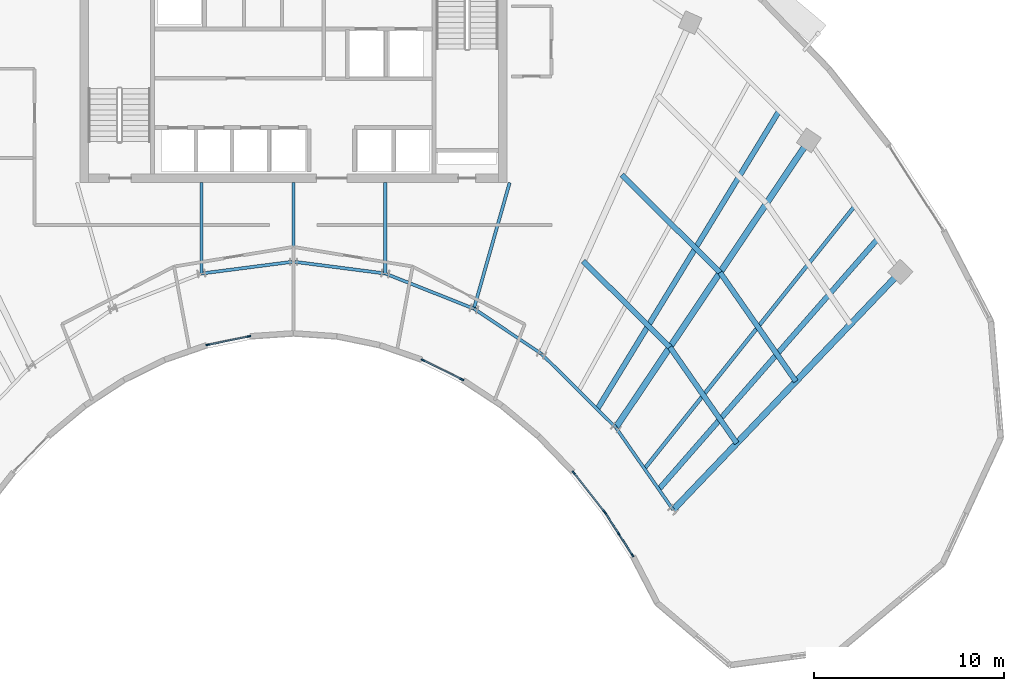
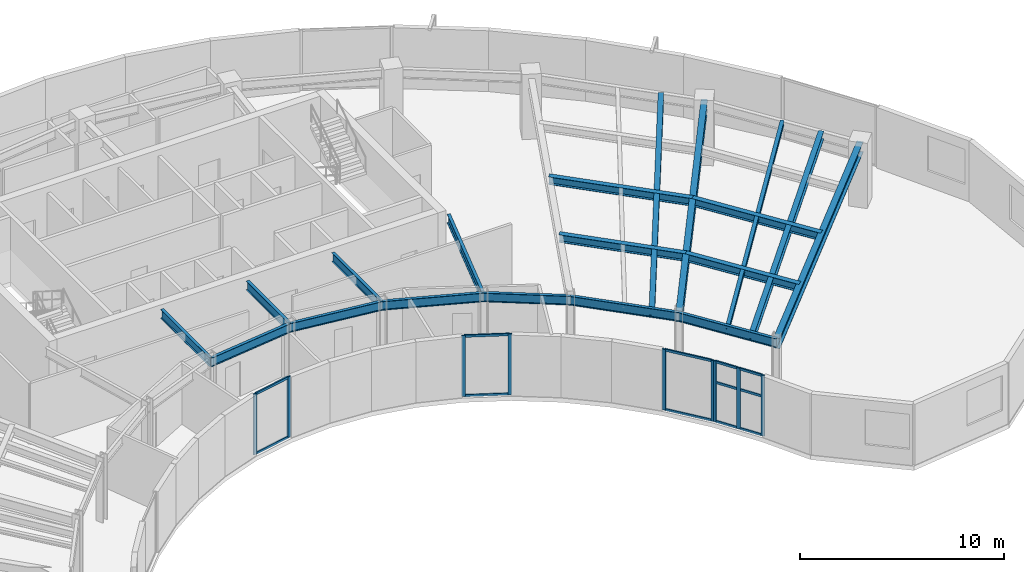
# One storey, part 3 of 14: 21 members, 19 beams, 4 elements without a shape of their own.
"""IFC4 building model written with IfcOpenShell, lengths in metres."""

from ifc_helpers import new_model, si_unit, direction, frame, origin, origin_2d, place, context, subcontext, project, spatial, rectangle, i_section, extrude, source, transform, mapped, material, layer, layer_set, material_profile, profile_set, type_object, type_shapes, element, aggregate, save


model = new_model("IFC4")

# Units and contexts
model_context = context("Model", 3, precision=1e-05, world=origin(), true_north=direction((0.0, 1.0)))
body_context = subcontext(model_context, "Body", "Model", "MODEL_VIEW")
ifc_project = project(units=[si_unit("LENGTHUNIT", "METRE"), si_unit("AREAUNIT", "SQUARE_METRE"), si_unit("VOLUMEUNIT", "CUBIC_METRE"), si_unit("PLANEANGLEUNIT", "RADIAN"), si_unit("MASSUNIT", "GRAM", prefix="KILO")], contexts=[model_context])

# Site, building, storey
site_placement = place(None, origin())
site = spatial("IfcSite", under=ifc_project, at=site_placement, CompositionType="ELEMENT")
building_placement = place(site_placement, origin())
building = spatial("IfcBuilding", under=site, at=building_placement, Name="Breltana Convention Tower", CompositionType="ELEMENT")
storey_placement = place(building_placement, frame((0.0, 0.0, 211.800048828125)))
storey = spatial("IfcBuildingStorey", under=building, at=storey_placement, Name="L51", CompositionType="ELEMENT", Elevation=211.800048828125)

# Beams
ifc_material_1 = material(Name="Steel ASTM A992 Grade 50", Category="steel")
ifc_material_profile_1 = material_profile(ifc_material_1, i_section(OverallWidth=0.280029296875, OverallDepth=0.462890625, WebThickness=0.0107421875, FlangeThickness=0.017333984375, at=origin_2d()), Name="W18X76")
ifc_profile_set_1 = profile_set([ifc_material_profile_1], Name="Steel ASTM A992 Grade 50")
beam_type_1 = type_object("IfcBeamType", Name="BM-JSG-06", PredefinedType="JOIST", material=ifc_profile_set_1)
shared_shape_1 = source(origin(), body_context, "Body", "SweptSolid", [
    extrude(i_section(OverallWidth=0.280029296875, OverallDepth=0.462890625, WebThickness=0.0107421875, FlangeThickness=0.017333984375, at=origin_2d()), origin(), (0.0, 0.0, 1.0), 6.435302734375),
])
beam_1_placement = place(storey_placement, frame((63.27392578125, 56.06298828125, 3.408447265625), z_axis=(0.710116389828, -0.704084308089, 0.0), x_axis=(0.704084308089, 0.710116389828, 0.0)))
element("IfcBeam", 1, at=beam_1_placement, inside=storey, type_object=beam_type_1, Name="L51 Composite Floor Joist 09.1", PredefinedType="JOIST", context=body_context, shape_type="MappedRepresentation", body=[
    mapped(shared_shape_1, transform((0.0, 0.0, 0.0), scale=1.0)),
])
shared_shape_2 = source(origin(), body_context, "Body", "SweptSolid", [
    extrude(i_section(OverallWidth=0.280029296875, OverallDepth=0.462890625, WebThickness=0.0107421875, FlangeThickness=0.017333984375, at=origin_2d()), origin(), (0.0, 0.0, 1.0), 7.29296875),
])
beam_2_placement = place(storey_placement, frame((65.309326171875, 60.602294921875, 3.408447265625), z_axis=(0.710096551013, -0.704104316305, 0.0), x_axis=(0.704104316305, 0.710096551013, 0.0)))
element("IfcBeam", 2, at=beam_2_placement, inside=storey, type_object=beam_type_1, Name="L51 Composite Floor Joist 09.2", PredefinedType="JOIST", context=body_context, shape_type="MappedRepresentation", body=[
    mapped(shared_shape_2, transform((0.0, 0.0, 0.0), scale=1.0)),
])
shared_shape_3 = source(origin(), body_context, "Body", "SweptSolid", [
    extrude(i_section(OverallWidth=0.280029296875, OverallDepth=0.462890625, WebThickness=0.0107421875, FlangeThickness=0.017333984375, at=origin_2d()), origin(), (0.0, 0.0, 1.0), 18.409423828125),
])
beam_3_placement = place(storey_placement, frame((64.017333984375, 48.263916015625, 3.408447265625), z_axis=(0.520682167606, 0.853750596098, 0.0), x_axis=(-0.853750596098, 0.520682167606, 0.0)))
element("IfcBeam", 3, at=beam_3_placement, inside=storey, type_object=beam_type_1, Name="L51 Quarter-Bay Radial Trimmer 09", PredefinedType="JOIST", context=body_context, shape_type="MappedRepresentation", body=[
    mapped(shared_shape_3, transform((0.0, 0.0, 0.0), scale=1.0)),
])
shared_shape_4 = source(origin(), body_context, "Body", "SweptSolid", [
    extrude(i_section(OverallWidth=0.280029296875, OverallDepth=0.462890625, WebThickness=0.0107421875, FlangeThickness=0.017333984375, at=origin_2d()), origin(), (0.0, 0.0, 1.0), 6.172119140625),
])
beam_4_placement = place(storey_placement, frame((67.84375, 51.531982421875, 3.408447265625), z_axis=(0.571211663392, -0.820802799462, 0.0), x_axis=(0.820802799462, 0.571211663392, 0.0)))
element("IfcBeam", 4, at=beam_4_placement, inside=storey, type_object=beam_type_1, Name="L51 Composite Floor Joist 10.1", PredefinedType="JOIST", context=body_context, shape_type="MappedRepresentation", body=[
    mapped(shared_shape_4, transform((0.0, 0.0, 0.0), scale=1.0)),
])
shared_shape_5 = source(origin(), body_context, "Body", "SweptSolid", [
    extrude(i_section(OverallWidth=0.280029296875, OverallDepth=0.462890625, WebThickness=0.0107421875, FlangeThickness=0.017333984375, at=origin_2d()), origin(), (0.0, 0.0, 1.0), 6.99462890625),
])
beam_5_placement = place(storey_placement, frame((70.488037109375, 55.46728515625, 3.408447265625), z_axis=(0.571206630732, -0.820806301759, 0.0), x_axis=(0.820806301759, 0.571206630732, 0.0)))
element("IfcBeam", 5, at=beam_5_placement, inside=storey, type_object=beam_type_1, Name="L51 Composite Floor Joist 10.2", PredefinedType="JOIST", context=body_context, shape_type="MappedRepresentation", body=[
    mapped(shared_shape_5, transform((0.0, 0.0, 0.0), scale=1.0)),
])
ifc_material_profile_2 = material_profile(ifc_material_1, i_section(OverallWidth=0.201904296875, OverallDepth=0.2470703125, WebThickness=0.00732421875, FlangeThickness=0.010986328125, at=origin_2d()), Name="W10X33")
ifc_profile_set_2 = profile_set([ifc_material_profile_2], Name="Steel ASTM A992 Grade 50")
beam_type_2 = type_object("IfcBeamType", Name="BM-JSG-11", PredefinedType="JOIST", material=ifc_profile_set_2)
shared_shape_6 = source(origin(), body_context, "Body", "SweptSolid", [
    extrude(i_section(OverallWidth=0.201904296875, OverallDepth=0.2470703125, WebThickness=0.00732421875, FlangeThickness=0.010986328125, at=origin_2d()), origin(), (0.0, 0.0, 1.0), 17.7236328125),
])
beam_6_placement = place(storey_placement, frame((66.505615234375, 45.124267578125, 3.516357421875), z_axis=(0.624829427563, 0.78076128647, 0.0), x_axis=(-0.78076128647, 0.624829427563, 0.0)))
element("IfcBeam", 6, at=beam_6_placement, inside=storey, type_object=beam_type_2, Name="L51 Mid-Bay Radial Trimmer 10", PredefinedType="JOIST", context=body_context, shape_type="MappedRepresentation", body=[
    mapped(shared_shape_6, transform((0.0, 0.0, 0.0), scale=1.0)),
])
shared_shape_7 = source(origin(), body_context, "Body", "SweptSolid", [
    extrude(i_section(OverallWidth=0.280029296875, OverallDepth=0.462890625, WebThickness=0.0107421875, FlangeThickness=0.017333984375, at=origin_2d()), origin(), (0.0, 0.0, 1.0), 17.515625),
])
beam_7_placement = place(storey_placement, frame((67.260498046875, 44.03955078125, 3.408447265625), z_axis=(0.658051548324, 0.752972881151, 0.0), x_axis=(-0.752972881151, 0.658051548324, 0.0)))
element("IfcBeam", 7, at=beam_7_placement, inside=storey, type_object=beam_type_1, Name="L51 Quarter-Bay Radial Trimmer 10", PredefinedType="JOIST", context=body_context, shape_type="MappedRepresentation", body=[
    mapped(shared_shape_7, transform((0.0, 0.0, 0.0), scale=1.0)),
])
ifc_material_profile_3 = material_profile(ifc_material_1, i_section(OverallWidth=0.166015625, OverallDepth=0.534912109375, WebThickness=0.01025390625, FlangeThickness=0.0166015625, at=origin_2d()), Name="W21X57")
ifc_profile_set_3 = profile_set([ifc_material_profile_3], Name="Steel ASTM A992 Grade 50")
beam_type_3 = type_object("IfcBeamType", Name="BM-BM-W21X57", PredefinedType="BEAM", material=ifc_profile_set_3)
shared_shape_8 = source(origin(), body_context, "Body", "SweptSolid", [
    extrude(i_section(OverallWidth=0.166015625, OverallDepth=0.534912109375, WebThickness=0.01025390625, FlangeThickness=0.0166015625, at=origin_2d()), origin(), (0.0, 0.0, 1.0), 6.904541015625),
])
type_shapes(beam_type_3, [shared_shape_8])
beam_8_placement = place(storey_placement, frame((59.39990234375, 60.199951171875, 3.37255859375), z_axis=(-0.273006781054, -0.962012108811, 0.0), x_axis=(0.962012108811, -0.273006781054, 0.0)))
element("IfcBeam", 8, at=beam_8_placement, inside=storey, type_object=beam_type_3, Name="L51 South Core Tie Girder R08", PredefinedType="BEAM", context=body_context, shape_type="MappedRepresentation", body=[
    mapped(shared_shape_8, transform((0.0, 0.0, 0.0), scale=1.0)),
])
shared_shape_9 = source(origin(), body_context, "Body", "SweptSolid", [
    extrude(i_section(OverallWidth=0.166015625, OverallDepth=0.534912109375, WebThickness=0.01025390625, FlangeThickness=0.0166015625, at=origin_2d()), origin(), (0.0, 0.0, 1.0), 4.789306640625),
])
for number, where, z_axis, x_axis, name in (
    (9, (43.153564453125, 60.199951171875, 3.37255859375), (0.0, -1.0, 0.0), (1.0, 0.0, 0.0), "L51 South Core Tie Girder R05"),
    (10, (52.846435546875, 60.199951171875, 3.37255859375), (0.0, -1.0, 0.0), (1.0, 0.0, 0.0), "L51 South Core Tie Girder R07"),
):
    element("IfcBeam", number, at=place(storey_placement, frame(where, z_axis=z_axis, x_axis=x_axis)), inside=storey, type_object=beam_type_3, Name=name, PredefinedType="BEAM", context=body_context, shape_type="MappedRepresentation", body=[
        mapped(shared_shape_9, transform((0.0, 0.0, 0.0), scale=1.0)),
    ])
shared_shape_10 = source(origin(), body_context, "Body", "SweptSolid", [
    extrude(i_section(OverallWidth=0.166015625, OverallDepth=0.534912109375, WebThickness=0.01025390625, FlangeThickness=0.0166015625, at=origin_2d()), origin(), (0.0, 0.0, 1.0), 4.1640625),
])
beam_9_placement = place(storey_placement, frame((48.0, 60.199951171875, 3.37255859375), z_axis=(0.0, -1.0, 0.0), x_axis=(1.0, 0.0, 0.0)))
element("IfcBeam", 11, at=beam_9_placement, inside=storey, type_object=beam_type_3, Name="L51 South Core Tie Girder R06", PredefinedType="BEAM", context=body_context, shape_type="MappedRepresentation", body=[
    mapped(shared_shape_10, transform((0.0, 0.0, 0.0), scale=1.0)),
])
shared_shape_11 = source(origin(), body_context, "Body", "SweptSolid", [
    extrude(i_section(OverallWidth=0.166015625, OverallDepth=0.534912109375, WebThickness=0.01025390625, FlangeThickness=0.0166015625, at=origin_2d()), origin(), (0.0, 0.0, 1.0), 5.022705078125),
])
beam_10_placement = place(storey_placement, frame((52.846435546875, 55.41064453125, 3.37255859375), z_axis=(0.929458966248, -0.368925507469, 0.0), x_axis=(0.368925507469, 0.929458966248, 0.0)))
element("IfcBeam", 12, at=beam_10_placement, inside=storey, type_object=beam_type_3, Name="L51 Inner Ring Beam 07", PredefinedType="BEAM", context=body_context, shape_type="MappedRepresentation", body=[
    mapped(shared_shape_11, transform((0.0, 0.0, 0.0), scale=1.0)),
])
shared_shape_12 = source(origin(), body_context, "Body", "SweptSolid", [
    extrude(i_section(OverallWidth=0.166015625, OverallDepth=0.534912109375, WebThickness=0.01025390625, FlangeThickness=0.0166015625, at=origin_2d()), origin(), (0.0, 0.0, 1.0), 4.88671875),
])
for number, where, z_axis, x_axis, name in (
    (13, (43.153564453125, 55.41064453125, 3.37255859375), (0.991780525565, 0.127950729231, 0.0), (-0.127950729231, 0.991780525565, 0.0), "L51 Inner Ring Beam 05"),
    (14, (48.0, 56.035888671875, 3.37255859375), (0.991780525565, -0.127950729231, 0.0), (0.127950729231, 0.991780525565, 0.0), "L51 Inner Ring Beam 06"),
):
    element("IfcBeam", number, at=place(storey_placement, frame(where, z_axis=z_axis, x_axis=x_axis)), inside=storey, type_object=beam_type_3, Name=name, PredefinedType="BEAM", context=body_context, shape_type="MappedRepresentation", body=[
        mapped(shared_shape_12, transform((0.0, 0.0, 0.0), scale=1.0)),
    ])
shared_shape_13 = source(origin(), body_context, "Body", "SweptSolid", [
    extrude(i_section(OverallWidth=0.166015625, OverallDepth=0.534912109375, WebThickness=0.01025390625, FlangeThickness=0.0166015625, at=origin_2d()), origin(), (0.0, 0.0, 1.0), 4.2900390625),
])
beam_11_placement = place(storey_placement, frame((57.514892578125, 53.5576171875, 3.37255859375), z_axis=(0.831515827753, -0.555501060482, 0.0), x_axis=(0.555501060482, 0.831515827753, 0.0)))
element("IfcBeam", 15, at=beam_11_placement, inside=storey, type_object=beam_type_3, Name="L51 Inner Ring Beam 08", PredefinedType="BEAM", context=body_context, shape_type="MappedRepresentation", body=[
    mapped(shared_shape_13, transform((0.0, 0.0, 0.0), scale=1.0)),
])
shared_shape_14 = source(origin(), body_context, "Body", "SweptSolid", [
    extrude(i_section(OverallWidth=0.166015625, OverallDepth=0.534912109375, WebThickness=0.01025390625, FlangeThickness=0.0166015625, at=origin_2d()), origin(), (0.0, 0.0, 1.0), 5.51171875),
])
beam_12_placement = place(storey_placement, frame((61.08203125, 51.174560546875, 3.37255859375), z_axis=(0.710090360749, -0.704110559196, 0.0), x_axis=(0.704110559196, 0.710090360749, 0.0)))
element("IfcBeam", 16, at=beam_12_placement, inside=storey, type_object=beam_type_3, Name="L51 Inner Ring Beam 09", PredefinedType="BEAM", context=body_context, shape_type="MappedRepresentation", body=[
    mapped(shared_shape_14, transform((0.0, 0.0, 0.0), scale=1.0)),
])
shared_shape_15 = source(origin(), body_context, "Body", "SweptSolid", [
    extrude(i_section(OverallWidth=0.166015625, OverallDepth=0.534912109375, WebThickness=0.01025390625, FlangeThickness=0.0166015625, at=origin_2d()), origin(), (0.0, 0.0, 1.0), 5.286376953125),
])
beam_13_placement = place(storey_placement, frame((64.995849609375, 47.293701171875, 3.37255859375), z_axis=(0.571194382458, -0.82081482531, 0.0), x_axis=(0.82081482531, 0.571194382458, 0.0)))
element("IfcBeam", 17, at=beam_13_placement, inside=storey, type_object=beam_type_3, Name="L51 Inner Ring Beam 10", PredefinedType="BEAM", context=body_context, shape_type="MappedRepresentation", body=[
    mapped(shared_shape_15, transform((0.0, 0.0, 0.0), scale=1.0)),
])
ifc_material_profile_4 = material_profile(ifc_material_1, i_section(OverallWidth=0.326904296875, OverallDepth=0.6220703125, WebThickness=0.015380859375, FlangeThickness=0.0244140625, at=origin_2d()), Name="W24X131")
ifc_profile_set_4 = profile_set([ifc_material_profile_4], Name="Steel ASTM A992 Grade 50")
beam_type_4 = type_object("IfcBeamType", Name="BM-RG-W24X131", PredefinedType="USERDEFINED", material=ifc_profile_set_4)
shared_shape_16 = source(origin(), body_context, "Body", "SweptSolid", [
    extrude(i_section(OverallWidth=0.326904296875, OverallDepth=0.6220703125, WebThickness=0.015380859375, FlangeThickness=0.0244140625, at=origin_2d()), origin(), (0.0, 0.0, 1.0), 17.341064453125),
])
type_shapes(beam_type_4, [shared_shape_16])
beam_14_placement = place(storey_placement, frame((68.015380859375, 42.95458984375, 3.328857421875), z_axis=(0.690716462293, 0.723125693581, 0.0), x_axis=(-0.723125693581, 0.690716462293, 0.0)))
element("IfcBeam", 18, at=beam_14_placement, inside=storey, type_object=beam_type_4, Name="L51 Radial Floor Girder R11", ObjectType="GIRDER", PredefinedType="USERDEFINED", context=body_context, shape_type="MappedRepresentation", body=[
    mapped(shared_shape_16, transform((0.0, 0.0, 0.0), scale=1.0)),
])
shared_shape_17 = source(origin(), body_context, "Body", "SweptSolid", [
    extrude(i_section(OverallWidth=0.326904296875, OverallDepth=0.6220703125, WebThickness=0.015380859375, FlangeThickness=0.0244140625, at=origin_2d()), origin(), (0.0, 0.0, 1.0), 18.236328125),
])
beam_15_placement = place(storey_placement, frame((64.995849609375, 47.293701171875, 3.328857421875), z_axis=(0.557730360975, 0.830022195153, 0.0), x_axis=(-0.830022195153, 0.557730360975, 0.0)))
element("IfcBeam", 19, at=beam_15_placement, inside=storey, type_object=beam_type_4, Name="L51 Radial Floor Girder R10", ObjectType="GIRDER", PredefinedType="USERDEFINED", context=body_context, shape_type="MappedRepresentation", body=[
    mapped(shared_shape_17, transform((0.0, 0.0, 0.0), scale=1.0)),
])

# Curtain wall, members
ifc_material_2 = material(Name="Aluminium Anodised Bronze Frame", Category="aluminium")
ifc_layer = layer(ifc_material_2, 0.18994140625, Name="Aluminium Anodised Bronze Frame")
ifc_layer_set = layer_set([ifc_layer], Name="Aluminium Anodised Bronze Frame")
curtain_wall_type = type_object("IfcCurtainWallType", Name="CW-SYS-1", PredefinedType="NOTDEFINED", material=ifc_layer_set)
curtain_wall_1_placement = place(storey_placement, origin())
curtain_wall_1 = element("IfcCurtainWall", 20, at=curtain_wall_1_placement, inside=storey, type_object=curtain_wall_type, Name="L51 inner south-court glazing 1", PredefinedType="NOTDEFINED")
ifc_material_3 = material(Name="Aluminium Anodised Bronze", Category="aluminium")
ifc_material_profile_5 = material_profile(ifc_material_3, rectangle(XDim=0.080078125, YDim=0.139892578125, at=origin_2d()), Name="CWT-80X140")
ifc_profile_set_5 = profile_set([ifc_material_profile_5], Name="Aluminium Anodised Bronze")
member_type_1 = type_object("IfcMemberType", Name="CWT-140", PredefinedType="USERDEFINED", material=ifc_profile_set_5)
shared_shape_18 = source(origin(), body_context, "Body", "SweptSolid", [
    extrude(rectangle(XDim=0.080078125, YDim=0.139892578125, at=origin_2d()), origin(), (0.0, 0.0, 1.0), 1.251220703125),
])
member_1_placement = place(storey_placement, frame((65.84716796875, 40.6025390625, 0.0400390625), z_axis=(-0.540116397582, 0.841590326146, 0.0), x_axis=(-0.841590326146, -0.540116397582, 0.0)))
member_1 = element("IfcMember", 21, at=member_1_placement, type_object=member_type_1, Name="CW-01 transom 1.1", ObjectType="TRANSOM", PredefinedType="USERDEFINED", context=body_context, shape_type="MappedRepresentation", body=[
    mapped(shared_shape_18, transform((0.0, 0.0, 0.0), scale=1.0)),
])
member_2_placement = place(storey_placement, frame((65.84716796875, 40.6025390625, 2.365966796875), z_axis=(-0.540116397582, 0.841590326146, 0.0), x_axis=(-0.841590326146, -0.540116397582, 0.0)))
member_2 = element("IfcMember", 22, at=member_2_placement, type_object=member_type_1, Name="CW-01 transom 1.2", ObjectType="TRANSOM", PredefinedType="USERDEFINED", context=body_context, shape_type="MappedRepresentation", body=[
    mapped(shared_shape_18, transform((0.0, 0.0, 0.0), scale=1.0)),
])
member_3_placement = place(storey_placement, frame((65.84716796875, 40.6025390625, 3.599853515625), z_axis=(-0.540116397582, 0.841590326146, 0.0), x_axis=(-0.841590326146, -0.540116397582, 0.0)))
member_3 = element("IfcMember", 23, at=member_3_placement, type_object=member_type_1, Name="CW-01 transom 1.3", ObjectType="TRANSOM", PredefinedType="USERDEFINED", context=body_context, shape_type="MappedRepresentation", body=[
    mapped(shared_shape_18, transform((0.0, 0.0, 0.0), scale=1.0)),
])
shared_shape_19 = source(origin(), body_context, "Body", "SweptSolid", [
    extrude(rectangle(XDim=0.080078125, YDim=0.139892578125, at=origin_2d()), origin(), (0.0, 0.0, 1.0), 1.2509765625),
])
member_4_placement = place(storey_placement, frame((65.128173828125, 41.722900390625, 0.0400390625), z_axis=(-0.54020510624, 0.841533388044, 0.0), x_axis=(-0.841533388044, -0.54020510624, 0.0)))
member_4 = element("IfcMember", 24, at=member_4_placement, type_object=member_type_1, Name="CW-01 transom 2.1", ObjectType="TRANSOM", PredefinedType="USERDEFINED", context=body_context, shape_type="MappedRepresentation", body=[
    mapped(shared_shape_19, transform((0.0, 0.0, 0.0), scale=1.0)),
])
member_5_placement = place(storey_placement, frame((65.128173828125, 41.722900390625, 2.365966796875), z_axis=(-0.54020510624, 0.841533388044, 0.0), x_axis=(-0.841533388044, -0.54020510624, 0.0)))
member_5 = element("IfcMember", 25, at=member_5_placement, type_object=member_type_1, Name="CW-01 transom 2.2", ObjectType="TRANSOM", PredefinedType="USERDEFINED", context=body_context, shape_type="MappedRepresentation", body=[
    mapped(shared_shape_19, transform((0.0, 0.0, 0.0), scale=1.0)),
])
member_6_placement = place(storey_placement, frame((65.128173828125, 41.722900390625, 3.599853515625), z_axis=(-0.54020510624, 0.841533388044, 0.0), x_axis=(-0.841533388044, -0.54020510624, 0.0)))
member_6 = element("IfcMember", 26, at=member_6_placement, type_object=member_type_1, Name="CW-01 transom 2.3", ObjectType="TRANSOM", PredefinedType="USERDEFINED", context=body_context, shape_type="MappedRepresentation", body=[
    mapped(shared_shape_19, transform((0.0, 0.0, 0.0), scale=1.0)),
])

curtain_wall_2_placement = place(storey_placement, origin())
curtain_wall_2 = element("IfcCurtainWall", 27, at=curtain_wall_2_placement, inside=storey, type_object=curtain_wall_type, Name="L51 inner south-court glazing 2", PredefinedType="NOTDEFINED")
shared_shape_20 = source(origin(), body_context, "Body", "SweptSolid", [
    extrude(rectangle(XDim=0.080078125, YDim=0.139892578125, at=origin_2d()), origin(), (0.0, 0.0, 1.0), 2.505859375),
])
member_7_placement = place(storey_placement, frame((64.349853515625, 42.919921875, 0.0400390625), z_axis=(-0.618174316854, 0.786041038357, 0.0), x_axis=(-0.786041038357, -0.618174316854, 0.0)))
member_7 = element("IfcMember", 28, at=member_7_placement, type_object=member_type_1, Name="CW-01 transom 1.1", ObjectType="TRANSOM", PredefinedType="USERDEFINED", context=body_context, shape_type="MappedRepresentation", body=[
    mapped(shared_shape_20, transform((0.0, 0.0, 0.0), scale=1.0)),
])
member_8_placement = place(storey_placement, frame((64.349853515625, 42.919921875, 3.599853515625), z_axis=(-0.618174316854, 0.786041038357, 0.0), x_axis=(-0.786041038357, -0.618174316854, 0.0)))
member_8 = element("IfcMember", 29, at=member_8_placement, type_object=member_type_1, Name="CW-01 transom 1.2", ObjectType="TRANSOM", PredefinedType="USERDEFINED", context=body_context, shape_type="MappedRepresentation", body=[
    mapped(shared_shape_20, transform((0.0, 0.0, 0.0), scale=1.0)),
])

# Member
ifc_material_profile_6 = material_profile(ifc_material_3, rectangle(XDim=0.080078125, YDim=0.199951171875, at=origin_2d()), Name="CWM-80X200")
ifc_profile_set_6 = profile_set([ifc_material_profile_6], Name="Aluminium Anodised Bronze")
member_type_2 = type_object("IfcMemberType", Name="CWM-200", PredefinedType="MULLION", material=ifc_profile_set_6)
shared_shape_21 = source(origin(), body_context, "Body", "SweptSolid", [
    extrude(rectangle(XDim=0.080078125, YDim=0.199951171875, at=origin_2d()), origin(), (0.0, 0.0, 1.0), 3.639892578125),
])
member_9_placement = place(storey_placement, frame((65.868896484375, 40.56884765625, 0.0), z_axis=(0.0, 0.0, 1.0), x_axis=(-0.841546766968, -0.540184263938, 0.0)))
member_9 = element("IfcMember", 30, at=member_9_placement, type_object=member_type_2, Name="CW-01 mullion 1", PredefinedType="MULLION", context=body_context, shape_type="MappedRepresentation", body=[
    mapped(shared_shape_21, transform((0.0, 0.0, 0.0), scale=1.0)),
])

member_10_placement = place(storey_placement, frame((65.14990234375, 41.689208984375, 0.0), z_axis=(0.0, 0.0, 1.0), x_axis=(-0.841546766968, -0.540184263938, 0.0)))
member_10 = element("IfcMember", 31, at=member_10_placement, type_object=member_type_2, Name="CW-01 mullion 2", PredefinedType="MULLION", context=body_context, shape_type="MappedRepresentation", body=[
    mapped(shared_shape_21, transform((0.0, 0.0, 0.0), scale=1.0)),
])

member_11_placement = place(storey_placement, frame((64.430908203125, 42.809326171875, 0.0), z_axis=(0.0, 0.0, 1.0), x_axis=(-0.841546766968, -0.540184263938, 0.0)))
member_11 = element("IfcMember", 32, at=member_11_placement, type_object=member_type_2, Name="CW-01 mullion 3", PredefinedType="MULLION", context=body_context, shape_type="MappedRepresentation", body=[
    mapped(shared_shape_21, transform((0.0, 0.0, 0.0), scale=1.0)),
])

aggregate(curtain_wall_1, [member_9, member_10, member_11, member_1, member_2, member_3, member_4, member_5, member_6])

member_12_placement = place(storey_placement, frame((64.37451171875, 42.888427734375, 0.0), z_axis=(0.0, 0.0, 1.0), x_axis=(-0.786060526937, -0.6181495353, 0.0)))
member_12 = element("IfcMember", 33, at=member_12_placement, type_object=member_type_2, Name="CW-01 mullion 1", PredefinedType="MULLION", context=body_context, shape_type="MappedRepresentation", body=[
    mapped(shared_shape_21, transform((0.0, 0.0, 0.0), scale=1.0)),
])

member_13_placement = place(storey_placement, frame((62.776123046875, 44.921142578125, 0.0), z_axis=(0.0, 0.0, 1.0), x_axis=(-0.786060526937, -0.6181495353, 0.0)))
member_13 = element("IfcMember", 34, at=member_13_placement, type_object=member_type_2, Name="CW-01 mullion 2", PredefinedType="MULLION", context=body_context, shape_type="MappedRepresentation", body=[
    mapped(shared_shape_21, transform((0.0, 0.0, 0.0), scale=1.0)),
])

aggregate(curtain_wall_2, [member_12, member_13, member_7, member_8])

# Curtain wall, members
curtain_wall_3_placement = place(storey_placement, origin())
curtain_wall_3 = element("IfcCurtainWall", 35, at=curtain_wall_3_placement, inside=storey, type_object=curtain_wall_type, Name="L51 inner south-court glazing 3", PredefinedType="NOTDEFINED")
member_14_placement = place(storey_placement, frame((56.88818359375, 49.829345703125, 0.0), z_axis=(0.0, 0.0, 1.0), x_axis=(-0.444132591932, -0.89596107102, 0.0)))
member_14 = element("IfcMember", 36, at=member_14_placement, type_object=member_type_2, Name="CW-01 mullion 1", PredefinedType="MULLION", context=body_context, shape_type="MappedRepresentation", body=[
    mapped(shared_shape_21, transform((0.0, 0.0, 0.0), scale=1.0)),
])
member_15_placement = place(storey_placement, frame((54.829345703125, 50.849853515625, 0.0), z_axis=(0.0, 0.0, 1.0), x_axis=(-0.444132591932, -0.89596107102, 0.0)))
member_15 = element("IfcMember", 37, at=member_15_placement, type_object=member_type_2, Name="CW-01 mullion 2", PredefinedType="MULLION", context=body_context, shape_type="MappedRepresentation", body=[
    mapped(shared_shape_21, transform((0.0, 0.0, 0.0), scale=1.0)),
])

curtain_wall_4_placement = place(storey_placement, origin())
curtain_wall_4 = element("IfcCurtainWall", 38, at=curtain_wall_4_placement, inside=storey, type_object=curtain_wall_type, Name="L51 inner south-court glazing 4", PredefinedType="NOTDEFINED")
member_16_placement = place(storey_placement, frame((45.656005859375, 52.09716796875, 0.0), z_axis=(0.0, 0.0, 1.0), x_axis=(0.200853973352, -0.979621192803, 0.0)))
member_16 = element("IfcMember", 39, at=member_16_placement, type_object=member_type_2, Name="CW-01 mullion 1", PredefinedType="MULLION", context=body_context, shape_type="MappedRepresentation", body=[
    mapped(shared_shape_21, transform((0.0, 0.0, 0.0), scale=1.0)),
])
member_17_placement = place(storey_placement, frame((43.48876953125, 51.65283203125, 0.0), z_axis=(0.0, 0.0, 1.0), x_axis=(0.200853973352, -0.979621192803, 0.0)))
member_17 = element("IfcMember", 40, at=member_17_placement, type_object=member_type_2, Name="CW-01 mullion 2", PredefinedType="MULLION", context=body_context, shape_type="MappedRepresentation", body=[
    mapped(shared_shape_21, transform((0.0, 0.0, 0.0), scale=1.0)),
])

# Member
shared_shape_22 = source(origin(), body_context, "Body", "SweptSolid", [
    extrude(rectangle(XDim=0.080078125, YDim=0.139892578125, at=origin_2d()), origin(), (0.0, 0.0, 1.0), 2.218017578125),
])
member_18_placement = place(storey_placement, frame((56.852294921875, 49.84716796875, 0.0400390625), z_axis=(-0.895962849302, 0.444129004537, 0.0), x_axis=(-0.444129004537, -0.895962849302, 0.0)))
member_18 = element("IfcMember", 41, at=member_18_placement, type_object=member_type_1, Name="CW-01 transom 1.1", ObjectType="TRANSOM", PredefinedType="USERDEFINED", context=body_context, shape_type="MappedRepresentation", body=[
    mapped(shared_shape_22, transform((0.0, 0.0, 0.0), scale=1.0)),
])

member_19_placement = place(storey_placement, frame((56.852294921875, 49.84716796875, 3.599853515625), z_axis=(-0.895962849302, 0.444129004537, 0.0), x_axis=(-0.444129004537, -0.895962849302, 0.0)))
member_19 = element("IfcMember", 42, at=member_19_placement, type_object=member_type_1, Name="CW-01 transom 1.2", ObjectType="TRANSOM", PredefinedType="USERDEFINED", context=body_context, shape_type="MappedRepresentation", body=[
    mapped(shared_shape_22, transform((0.0, 0.0, 0.0), scale=1.0)),
])

aggregate(curtain_wall_3, [member_14, member_15, member_18, member_19])

shared_shape_23 = source(origin(), body_context, "Body", "SweptSolid", [
    extrude(rectangle(XDim=0.080078125, YDim=0.139892578125, at=origin_2d()), origin(), (0.0, 0.0, 1.0), 2.132080078125),
])
member_20_placement = place(storey_placement, frame((45.61669921875, 52.089111328125, 0.0400390625), z_axis=(-0.97962234667, -0.200848345536, 0.0), x_axis=(0.200848345536, -0.97962234667, 0.0)))
member_20 = element("IfcMember", 43, at=member_20_placement, type_object=member_type_1, Name="CW-01 transom 1.1", ObjectType="TRANSOM", PredefinedType="USERDEFINED", context=body_context, shape_type="MappedRepresentation", body=[
    mapped(shared_shape_23, transform((0.0, 0.0, 0.0), scale=1.0)),
])

member_21_placement = place(storey_placement, frame((45.61669921875, 52.089111328125, 3.599853515625), z_axis=(-0.97962234667, -0.200848345536, 0.0), x_axis=(0.200848345536, -0.97962234667, 0.0)))
member_21 = element("IfcMember", 44, at=member_21_placement, type_object=member_type_1, Name="CW-01 transom 1.2", ObjectType="TRANSOM", PredefinedType="USERDEFINED", context=body_context, shape_type="MappedRepresentation", body=[
    mapped(shared_shape_23, transform((0.0, 0.0, 0.0), scale=1.0)),
])

aggregate(curtain_wall_4, [member_16, member_17, member_20, member_21])

save(model, "model.ifc")
